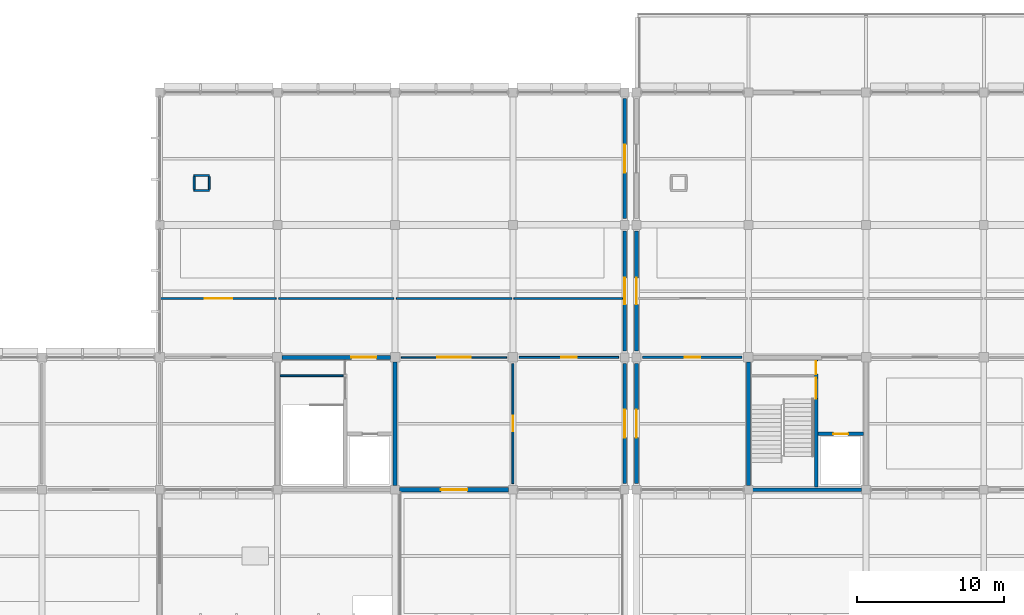
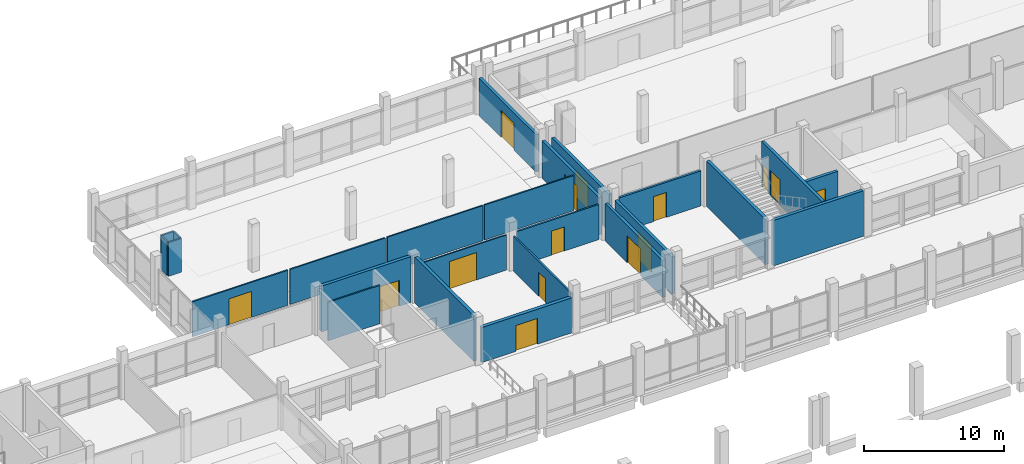
# One storey, part 59 of 70: 25 walls, 15 doors, 15 openings.
"""IFC4 building model written with IfcOpenShell, lengths in metres."""

from ifc_helpers import new_model, si_unit, direction, frame, frame_2d, origin, place, context, subcontext, project, spatial, rectangle, extrude, material, layer, layer_set, type_object, element, fill, save


model = new_model("IFC4")

# Units and contexts
model_context = context("Model", 3, precision=1e-05, world=origin(), true_north=direction((0.0, 1.0)))
body_context = subcontext(model_context, "Body", "Model", "MODEL_VIEW")
ifc_project = project(units=[si_unit("LENGTHUNIT", "METRE"), si_unit("AREAUNIT", "SQUARE_METRE"), si_unit("VOLUMEUNIT", "CUBIC_METRE"), si_unit("PLANEANGLEUNIT", "RADIAN"), si_unit("MASSUNIT", "GRAM", prefix="KILO"), si_unit("THERMODYNAMICTEMPERATUREUNIT", "KELVIN"), si_unit("POWERUNIT", "WATT")], contexts=[model_context])

# Site, building, storey
site_placement = place(None, origin())
site = spatial("IfcSite", under=ifc_project, at=site_placement, CompositionType="ELEMENT")
building_placement = place(site_placement, origin())
building = spatial("IfcBuilding", under=site, at=building_placement, Name="Kronsvod Quay Wholesale Market", CompositionType="ELEMENT")
storey_placement = place(building_placement, frame((0.0, 0.0, 9.0)))
storey = spatial("IfcBuildingStorey", under=building, at=storey_placement, Name="L02", CompositionType="ELEMENT", Elevation=9.0)

# Wall, opening, door
ifc_material_1 = material(Name="Concrete C35/45", Category="concrete")
ifc_layer_1 = layer(ifc_material_1, 0.260009765625)
ifc_layer_set_1 = layer_set([ifc_layer_1], Name="Concrete C35/45")
wall_type_1 = type_object("IfcWallType", Name="Wall_CoreShear260", PredefinedType="SHEAR", material=ifc_layer_set_1)
wall_1_placement = place(storey_placement, frame((40.320068359375, 108.0, 0.0), z_axis=(0.0, 0.0, 1.0), x_axis=(1.0, 0.0, 0.0)))
wall_1 = element("IfcWall", 1, at=wall_1_placement, inside=storey, type_object=wall_type_1, Name="CW-C07-L02-N", PredefinedType="SHEAR", context=body_context, shape_type="SweptSolid", body=[
    extrude(rectangle(XDim=7.35986328125, YDim=0.260009765625, at=frame_2d((3.679931640625, 0.0))), origin(), (0.0, 0.0, 1.0), 3.985107421875),
])
opening_1_placement = place(wall_1_placement, frame((4.699951171875, 0.0, 0.0)))
opening_1 = element("IfcOpeningElement", 2, at=opening_1_placement, cuts=wall_1, Name="Opening D-0072", PredefinedType="OPENING", context=body_context, shape_type="SweptSolid", body=[
    extrude(rectangle(XDim=1.699951171875, YDim=2.25, at=frame_2d((0.85009765625, 1.125))), frame((0.0, 0.14013671875, 0.0), z_axis=(0.0, -1.0, 0.0), x_axis=(1.0, 0.0, 0.0)), (0.0, 0.0, 1.0), 0.280029296875),
])
ifc_material_2 = material(Name="Painted galvanized fire steel", Category="steel")
door_type_1 = type_object("IfcDoorType", Name="Door_FireLobby170x225", OperationType="DOUBLE_DOOR_SINGLE_SWING", PredefinedType="DOOR", material=ifc_material_2)
door_1_placement = place(opening_1_placement, origin())
door_1 = element("IfcDoor", 3, at=door_1_placement, inside=storey, type_object=door_type_1, Name="Core Lobby Door D-0072", OperationType="DOUBLE_DOOR_SINGLE_SWING", OverallHeight=2.25, OverallWidth=1.699951171875, PredefinedType="DOOR", context=body_context, shape_type="SweptSolid", body=[
    extrude(rectangle(XDim=1.699951171875, YDim=2.25, at=frame_2d((0.85009765625, 1.125))), frame((0.0, 0.02490234375, 0.0), z_axis=(0.0, -1.0, 0.0), x_axis=(1.0, 0.0, 0.0)), (0.0, 0.0, 1.0), 0.050048828125),
])
fill(opening_1, door_1)

# Walls
wall_2_placement = place(storey_placement, frame((48.0, 99.294921875, 0.0), z_axis=(0.0, 0.0, 1.0), x_axis=(0.0, 1.0, 0.0)))
element("IfcWall", 4, at=wall_2_placement, inside=storey, type_object=wall_type_1, Name="CW-C07-L02-E", PredefinedType="SHEAR", context=body_context, shape_type="SweptSolid", body=[
    extrude(rectangle(XDim=8.385009765625, YDim=0.260009765625, at=frame_2d((4.1923828125, 0.0))), origin(), (0.0, 0.0, 1.0), 3.985107421875),
])
wall_3_placement = place(storey_placement, frame((72.294921875, 99.0, 0.0), z_axis=(0.0, 0.0, 1.0), x_axis=(1.0, 0.0, 0.0)))
element("IfcWall", 5, at=wall_3_placement, inside=storey, type_object=wall_type_1, Name="CW-C08-L02-S", PredefinedType="SHEAR", context=body_context, shape_type="SweptSolid", body=[
    extrude(rectangle(XDim=7.41015625, YDim=0.260009765625, at=frame_2d((3.705078125, 0.0))), origin(), (0.0, 0.0, 1.0), 3.955078125),
])
wall_4_placement = place(storey_placement, frame((72.0, 99.294921875, 0.0), z_axis=(0.0, 0.0, 1.0), x_axis=(0.0, 1.0, 0.0)))
element("IfcWall", 6, at=wall_4_placement, inside=storey, type_object=wall_type_1, Name="CW-C08-L02-W", PredefinedType="SHEAR", context=body_context, shape_type="SweptSolid", body=[
    extrude(rectangle(XDim=8.385009765625, YDim=0.260009765625, at=frame_2d((4.1923828125, 0.0))), origin(), (0.0, 0.0, 1.0), 3.955078125),
])

# Wall, opening, door
ifc_material_3 = material(Name="Precast concrete C40/50", Category="concrete")
ifc_layer_2 = layer(ifc_material_3, 0.280029296875)
ifc_layer_set_2 = layer_set([ifc_layer_2], Name="Precast concrete C40/50")
wall_type_2 = type_object("IfcWallType", Name="Wall_ExtPrecast280", PredefinedType="SOLIDWALL", material=ifc_layer_set_2)
wall_5_placement = place(storey_placement, frame((48.294921875, 99.0, 0.0), z_axis=(0.0, 0.0, 1.0), x_axis=(1.0, 0.0, 0.0)))
wall_5 = element("IfcWall", 7, at=wall_5_placement, inside=storey, type_object=wall_type_2, Name="EW-X-L02-0161", PredefinedType="SOLIDWALL", context=body_context, shape_type="SweptSolid", body=[
    extrude(rectangle(XDim=7.41015625, YDim=0.280029296875, at=frame_2d((3.705078125, 0.0))), origin(), (0.0, 0.0, 1.0), 3.050048828125),
])
opening_2_placement = place(wall_5_placement, frame((2.804931640625, 0.0, 0.0)))
opening_2 = element("IfcOpeningElement", 8, at=opening_2_placement, cuts=wall_5, Name="Opening ED-053", PredefinedType="OPENING", context=body_context, shape_type="SweptSolid", body=[
    extrude(rectangle(XDim=1.800048828125, YDim=2.25, at=frame_2d((0.89990234375, 1.125))), frame((0.0, 0.14990234375, 0.0), z_axis=(0.0, -1.0, 0.0), x_axis=(1.0, 0.0, 0.0)), (0.0, 0.0, 1.0), 0.300048828125),
])
ifc_material_4 = material(Name="Thermally broken aluminium and glass", Category="aluminium")
door_type_2 = type_object("IfcDoorType", Name="Door_GardenDouble180x225", OperationType="DOUBLE_DOOR_SINGLE_SWING", PredefinedType="DOOR", material=ifc_material_4)
door_2_placement = place(opening_2_placement, frame((1.800048828125, 0.0, 0.0), z_axis=(0.0, 0.0, 1.0), x_axis=(-1.0, 0.0, 0.0)))
door_2 = element("IfcDoor", 9, at=door_2_placement, inside=storey, type_object=door_type_2, Name="Terrace Access Door ED-053", OperationType="DOUBLE_DOOR_SINGLE_SWING", OverallHeight=2.25, OverallWidth=1.800048828125, PredefinedType="DOOR", context=body_context, shape_type="SweptSolid", body=[
    extrude(rectangle(XDim=1.800048828125, YDim=2.25, at=frame_2d((0.89990234375, 1.125))), frame((0.0, 0.02490234375, 0.0), z_axis=(0.0, -1.0, 0.0), x_axis=(1.0, 0.0, 0.0)), (0.0, 0.0, 1.0), 0.050048828125),
])
fill(opening_2, door_2)

ifc_material_5 = material(Name="Precast concrete C40/50", Category="concrete")
ifc_layer_3 = layer(ifc_material_5, 0.239990234375)
ifc_layer_set_3 = layer_set([ifc_layer_3], Name="Precast concrete C40/50")
wall_type_3 = type_object("IfcWallType", Name="Wall_ExtSpandrel240", PredefinedType="SOLIDWALL", material=ifc_layer_set_3)
wall_6_placement = place(storey_placement, frame((63.60009765625, 99.419921875, 0.0), z_axis=(0.0, 0.0, 1.0), x_axis=(0.0, 1.0, 0.0)))
wall_6 = element("IfcWall", 10, at=wall_6_placement, inside=storey, type_object=wall_type_3, Name="MJWG-L02-636-990", PredefinedType="SOLIDWALL", context=body_context, shape_type="SweptSolid", body=[
    extrude(rectangle(XDim=8.16015625, YDim=0.239990234375, at=frame_2d((4.080078125, 0.0))), origin(), (0.0, 0.0, 1.0), 3.239990234375),
])
opening_3_placement = place(wall_6_placement, frame((3.1298828125, 0.0, 0.0)))
opening_3 = element("IfcOpeningElement", 11, at=opening_3_placement, cuts=wall_6, Name="Opening D-0375", PredefinedType="OPENING", context=body_context, shape_type="SweptSolid", body=[
    extrude(rectangle(XDim=1.89990234375, YDim=2.35009765625, at=frame_2d((0.949951171875, 1.175048828125))), frame((0.0, 0.1298828125, 0.0), z_axis=(0.0, -1.0, 0.0), x_axis=(1.0, 0.0, 0.0)), (0.0, 0.0, 1.0), 0.260009765625),
])
ifc_material_6 = material(Name="Painted galvanized fire steel", Category="steel")
door_type_3 = type_object("IfcDoorType", Name="Door_FireComp190x235", OperationType="DOUBLE_DOOR_SINGLE_SWING", PredefinedType="DOOR", material=ifc_material_6)
door_3_placement = place(opening_3_placement, origin())
door_3 = element("IfcDoor", 12, at=door_3_placement, inside=storey, type_object=door_type_3, Name="Fire Compartment Door D-0375", OperationType="DOUBLE_DOOR_SINGLE_SWING", OverallHeight=2.35009765625, OverallWidth=1.89990234375, PredefinedType="DOOR", context=body_context, shape_type="SweptSolid", body=[
    extrude(rectangle(XDim=1.89990234375, YDim=2.35009765625, at=frame_2d((0.949951171875, 1.175048828125))), frame((0.0, 0.02490234375, 0.0), z_axis=(0.0, -1.0, 0.0), x_axis=(1.0, 0.0, 0.0)), (0.0, 0.0, 1.0), 0.050048828125),
])
fill(opening_3, door_3)

wall_7_placement = place(storey_placement, frame((63.60009765625, 108.419921875, 0.0), z_axis=(0.0, 0.0, 1.0), x_axis=(0.0, 1.0, 0.0)))
wall_7 = element("IfcWall", 13, at=wall_7_placement, inside=storey, type_object=wall_type_3, Name="MJWG-L02-636-1080", PredefinedType="SOLIDWALL", context=body_context, shape_type="SweptSolid", body=[
    extrude(rectangle(XDim=8.16015625, YDim=0.239990234375, at=frame_2d((4.080078125, 0.0))), origin(), (0.0, 0.0, 1.0), 3.239990234375),
])
opening_4_placement = place(wall_7_placement, frame((3.179931640625, 0.0, 0.0)))
opening_4 = element("IfcOpeningElement", 14, at=opening_4_placement, cuts=wall_7, Name="Opening D-0376", PredefinedType="OPENING", context=body_context, shape_type="SweptSolid", body=[
    extrude(rectangle(XDim=1.800048828125, YDim=2.300048828125, at=frame_2d((0.89990234375, 1.14990234375))), frame((0.0, 0.1298828125, 0.0), z_axis=(0.0, -1.0, 0.0), x_axis=(1.0, 0.0, 0.0)), (0.0, 0.0, 1.0), 0.260009765625),
])
ifc_material_7 = material(Name="Painted galvanized fire steel", Category="steel")
door_type_4 = type_object("IfcDoorType", Name="Door_FireComp180x230", OperationType="DOUBLE_DOOR_SINGLE_SWING", PredefinedType="DOOR", material=ifc_material_7)
door_4_placement = place(opening_4_placement, origin())
door_4 = element("IfcDoor", 15, at=door_4_placement, inside=storey, type_object=door_type_4, Name="Fire Compartment Door D-0376", OperationType="DOUBLE_DOOR_SINGLE_SWING", OverallHeight=2.300048828125, OverallWidth=1.800048828125, PredefinedType="DOOR", context=body_context, shape_type="SweptSolid", body=[
    extrude(rectangle(XDim=1.800048828125, YDim=2.300048828125, at=frame_2d((0.89990234375, 1.14990234375))), frame((0.0, 0.02490234375, 0.0), z_axis=(0.0, -1.0, 0.0), x_axis=(1.0, 0.0, 0.0)), (0.0, 0.0, 1.0), 0.050048828125),
])
fill(opening_4, door_4)

wall_8_placement = place(storey_placement, frame((63.60009765625, 117.419921875, 0.0), z_axis=(0.0, 0.0, 1.0), x_axis=(0.0, 1.0, 0.0)))
wall_8 = element("IfcWall", 16, at=wall_8_placement, inside=storey, type_object=wall_type_3, Name="MJWG-L02-636-1170", PredefinedType="SOLIDWALL", context=body_context, shape_type="SweptSolid", body=[
    extrude(rectangle(XDim=8.16015625, YDim=0.239990234375, at=frame_2d((4.080078125, 0.0))), origin(), (0.0, 0.0, 1.0), 3.239990234375),
])
opening_5_placement = place(wall_8_placement, frame((3.1298828125, 0.0, 0.0)))
opening_5 = element("IfcOpeningElement", 17, at=opening_5_placement, cuts=wall_8, Name="Opening D-0377", PredefinedType="OPENING", context=body_context, shape_type="SweptSolid", body=[
    extrude(rectangle(XDim=1.89990234375, YDim=2.35009765625, at=frame_2d((0.949951171875, 1.175048828125))), frame((0.0, 0.1298828125, 0.0), z_axis=(0.0, -1.0, 0.0), x_axis=(1.0, 0.0, 0.0)), (0.0, 0.0, 1.0), 0.260009765625),
])
door_5_placement = place(opening_5_placement, origin())
door_5 = element("IfcDoor", 18, at=door_5_placement, inside=storey, type_object=door_type_3, Name="Fire Compartment Door D-0377", OperationType="DOUBLE_DOOR_SINGLE_SWING", OverallHeight=2.35009765625, OverallWidth=1.89990234375, PredefinedType="DOOR", context=body_context, shape_type="SweptSolid", body=[
    extrude(rectangle(XDim=1.89990234375, YDim=2.35009765625, at=frame_2d((0.949951171875, 1.175048828125))), frame((0.0, 0.02490234375, 0.0), z_axis=(0.0, -1.0, 0.0), x_axis=(1.0, 0.0, 0.0)), (0.0, 0.0, 1.0), 0.050048828125),
])
fill(opening_5, door_5)

wall_9_placement = place(storey_placement, frame((64.39990234375, 99.419921875, 0.0), z_axis=(0.0, 0.0, 1.0), x_axis=(0.0, 1.0, 0.0)))
wall_9 = element("IfcWall", 19, at=wall_9_placement, inside=storey, type_object=wall_type_3, Name="MJWG-L02-644-990", PredefinedType="SOLIDWALL", context=body_context, shape_type="SweptSolid", body=[
    extrude(rectangle(XDim=8.16015625, YDim=0.239990234375, at=frame_2d((4.080078125, 0.0))), origin(), (0.0, 0.0, 1.0), 3.239990234375),
])
opening_6_placement = place(wall_9_placement, frame((3.1298828125, 0.0, 0.0)))
opening_6 = element("IfcOpeningElement", 20, at=opening_6_placement, cuts=wall_9, Name="Opening D-0379", PredefinedType="OPENING", context=body_context, shape_type="SweptSolid", body=[
    extrude(rectangle(XDim=1.89990234375, YDim=2.35009765625, at=frame_2d((0.949951171875, 1.175048828125))), frame((0.0, 0.1298828125, 0.0), z_axis=(0.0, -1.0, 0.0), x_axis=(1.0, 0.0, 0.0)), (0.0, 0.0, 1.0), 0.260009765625),
])
door_6_placement = place(opening_6_placement, origin())
door_6 = element("IfcDoor", 21, at=door_6_placement, inside=storey, type_object=door_type_3, Name="Fire Compartment Door D-0379", OperationType="DOUBLE_DOOR_SINGLE_SWING", OverallHeight=2.35009765625, OverallWidth=1.89990234375, PredefinedType="DOOR", context=body_context, shape_type="SweptSolid", body=[
    extrude(rectangle(XDim=1.89990234375, YDim=2.35009765625, at=frame_2d((0.949951171875, 1.175048828125))), frame((0.0, 0.02490234375, 0.0), z_axis=(0.0, -1.0, 0.0), x_axis=(1.0, 0.0, 0.0)), (0.0, 0.0, 1.0), 0.050048828125),
])
fill(opening_6, door_6)

wall_10_placement = place(storey_placement, frame((64.39990234375, 108.419921875, 0.0), z_axis=(0.0, 0.0, 1.0), x_axis=(0.0, 1.0, 0.0)))
wall_10 = element("IfcWall", 22, at=wall_10_placement, inside=storey, type_object=wall_type_3, Name="MJWG-L02-644-1080", PredefinedType="SOLIDWALL", context=body_context, shape_type="SweptSolid", body=[
    extrude(rectangle(XDim=8.16015625, YDim=0.239990234375, at=frame_2d((4.080078125, 0.0))), origin(), (0.0, 0.0, 1.0), 3.239990234375),
])
opening_7_placement = place(wall_10_placement, frame((3.179931640625, 0.0, 0.0)))
opening_7 = element("IfcOpeningElement", 23, at=opening_7_placement, cuts=wall_10, Name="Opening D-0380", PredefinedType="OPENING", context=body_context, shape_type="SweptSolid", body=[
    extrude(rectangle(XDim=1.800048828125, YDim=2.300048828125, at=frame_2d((0.89990234375, 1.14990234375))), frame((0.0, 0.1298828125, 0.0), z_axis=(0.0, -1.0, 0.0), x_axis=(1.0, 0.0, 0.0)), (0.0, 0.0, 1.0), 0.260009765625),
])
door_7_placement = place(opening_7_placement, origin())
door_7 = element("IfcDoor", 24, at=door_7_placement, inside=storey, type_object=door_type_4, Name="Fire Compartment Door D-0380", OperationType="DOUBLE_DOOR_SINGLE_SWING", OverallHeight=2.300048828125, OverallWidth=1.800048828125, PredefinedType="DOOR", context=body_context, shape_type="SweptSolid", body=[
    extrude(rectangle(XDim=1.800048828125, YDim=2.300048828125, at=frame_2d((0.89990234375, 1.14990234375))), frame((0.0, 0.02490234375, 0.0), z_axis=(0.0, -1.0, 0.0), x_axis=(1.0, 0.0, 0.0)), (0.0, 0.0, 1.0), 0.050048828125),
])
fill(opening_7, door_7)

ifc_material_8 = material(Name="Double-layer fire gypsum partition", Category="gypsum")
ifc_layer_4 = layer(ifc_material_8, 0.16796875)
ifc_layer_set_4 = layer_set([ifc_layer_4], Name="Double-layer fire gypsum partition")
wall_type_4 = type_object("IfcWallType", Name="Wall_PartCorridor168", PredefinedType="PARTITIONING", material=ifc_layer_set_4)
wall_11_placement = place(storey_placement, frame((64.820068359375, 108.0, 0.0), z_axis=(0.0, 0.0, 1.0), x_axis=(1.0, 0.0, 0.0)))
wall_11 = element("IfcWall", 25, at=wall_11_placement, inside=storey, type_object=wall_type_4, Name="PW-L02-0033", PredefinedType="PARTITIONING", context=body_context, shape_type="SweptSolid", body=[
    extrude(rectangle(XDim=6.760009765625, YDim=0.16796875, at=frame_2d((3.3798828125, 0.0))), origin(), (0.0, 0.0, 1.0), 3.050048828125),
])
opening_8_placement = place(wall_11_placement, frame((2.85009765625, 0.0, 0.0)))
opening_8 = element("IfcOpeningElement", 26, at=opening_8_placement, cuts=wall_11, Name="Opening D-0287", PredefinedType="OPENING", context=body_context, shape_type="SweptSolid", body=[
    extrude(rectangle(XDim=1.06005859375, YDim=2.169921875, at=frame_2d((0.530029296875, 1.0849609375))), frame((0.0, 0.093994140625, 0.0), z_axis=(0.0, -1.0, 0.0), x_axis=(1.0, 0.0, 0.0)), (0.0, 0.0, 1.0), 0.18798828125),
])
ifc_material_9 = material(Name="Solid-core timber office door", Category="wood")
door_type_5 = type_object("IfcDoorType", Name="Door_Office106x217", OperationType="NOTDEFINED", PredefinedType="DOOR", material=ifc_material_9)
door_8_placement = place(opening_8_placement, origin())
door_8 = element("IfcDoor", 27, at=door_8_placement, inside=storey, type_object=door_type_5, Name="Interior Door D-0287", OperationType="SINGLE_SWING_LEFT", OverallHeight=2.169921875, OverallWidth=1.06005859375, PredefinedType="DOOR", context=body_context, shape_type="SweptSolid", body=[
    extrude(rectangle(XDim=1.06005859375, YDim=2.169921875, at=frame_2d((0.530029296875, 1.0849609375))), frame((0.0, 0.02490234375, 0.0), z_axis=(0.0, -1.0, 0.0), x_axis=(1.0, 0.0, 0.0)), (0.0, 0.0, 1.0), 0.050048828125),
])
fill(opening_8, door_8)

ifc_material_10 = material(Name="Double-glazed gallery screen partition", Category="glass")
ifc_layer_5 = layer(ifc_material_10, 0.10791015625)
ifc_layer_set_5 = layer_set([ifc_layer_5], Name="Double-glazed gallery screen partition")
wall_type_5 = type_object("IfcWallType", Name="Wall_PartGlazed108", PredefinedType="PARTITIONING", material=ifc_layer_set_5)
wall_12_placement = place(storey_placement, frame((48.419921875, 108.0, 0.0), z_axis=(0.0, 0.0, 1.0), x_axis=(1.0, 0.0, 0.0)))
wall_12 = element("IfcWall", 28, at=wall_12_placement, inside=storey, type_object=wall_type_5, Name="PW-L02-0031", PredefinedType="PARTITIONING", context=body_context, shape_type="SweptSolid", body=[
    extrude(rectangle(XDim=7.16015625, YDim=0.10791015625, at=frame_2d((3.580078125, 0.0))), origin(), (0.0, 0.0, 1.0), 3.050048828125),
])
opening_9_placement = place(wall_12_placement, frame((2.455078125, 0.0, 0.0)))
opening_9 = element("IfcOpeningElement", 29, at=opening_9_placement, cuts=wall_12, Name="Opening D-0285", PredefinedType="OPENING", context=body_context, shape_type="SweptSolid", body=[
    extrude(rectangle(XDim=2.25, YDim=2.3798828125, at=frame_2d((1.125, 1.18994140625))), frame((0.0, 0.06396484375, 0.0), z_axis=(0.0, -1.0, 0.0), x_axis=(1.0, 0.0, 0.0)), (0.0, 0.0, 1.0), 0.1279296875),
])
ifc_material_11 = material(Name="Glazed aluminium hall portal", Category="aluminium")
door_type_6 = type_object("IfcDoorType", Name="Door_HallPortal225x238", OperationType="DOUBLE_DOOR_SINGLE_SWING", PredefinedType="DOOR", material=ifc_material_11)
door_9_placement = place(opening_9_placement, origin())
door_9 = element("IfcDoor", 30, at=door_9_placement, inside=storey, type_object=door_type_6, Name="Interior Door D-0285", OperationType="DOUBLE_DOOR_SINGLE_SWING", OverallHeight=2.3798828125, OverallWidth=2.25, PredefinedType="DOOR", context=body_context, shape_type="SweptSolid", body=[
    extrude(rectangle(XDim=2.25, YDim=2.3798828125, at=frame_2d((1.125, 1.18994140625))), frame((0.0, 0.02490234375, 0.0), z_axis=(0.0, -1.0, 0.0), x_axis=(1.0, 0.0, 0.0)), (0.0, 0.0, 1.0), 0.050048828125),
])
fill(opening_9, door_9)

ifc_material_12 = material(Name="Framed acoustic glass hall partition", Category="glass")
ifc_layer_6 = layer(ifc_material_12, 0.114990234375)
ifc_layer_set_6 = layer_set([ifc_layer_6], Name="Framed acoustic glass hall partition")
wall_type_6 = type_object("IfcWallType", Name="Wall_PartGlazed115", PredefinedType="PARTITIONING", material=ifc_layer_set_6)
wall_13_placement = place(storey_placement, frame((32.06005859375, 112.0, 0.0), z_axis=(0.0, 0.0, 1.0), x_axis=(1.0, 0.0, 0.0)))
wall_13 = element("IfcWall", 31, at=wall_13_placement, inside=storey, type_object=wall_type_6, Name="PW-L02-0043", PredefinedType="PARTITIONING", context=body_context, shape_type="SweptSolid", body=[
    extrude(rectangle(XDim=7.85986328125, YDim=0.114990234375, at=frame_2d((3.929931640625, 0.0))), origin(), (0.0, 0.0, 1.0), 3.050048828125),
])
opening_10_placement = place(wall_13_placement, frame((3.0048828125, 0.0, 0.0)))
opening_10 = element("IfcOpeningElement", 32, at=opening_10_placement, cuts=wall_13, Name="Opening D-0294", PredefinedType="OPENING", context=body_context, shape_type="SweptSolid", body=[
    extrude(rectangle(XDim=1.85009765625, YDim=2.25, at=frame_2d((0.925048828125, 1.125))), frame((0.0, 0.0673828125, 0.0), z_axis=(0.0, -1.0, 0.0), x_axis=(1.0, 0.0, 0.0)), (0.0, 0.0, 1.0), 0.135009765625),
])
ifc_material_13 = material(Name="Glazed aluminium dining door", Category="aluminium")
door_type_7 = type_object("IfcDoorType", Name="Door_Canteen185x225", OperationType="DOUBLE_DOOR_SINGLE_SWING", PredefinedType="DOOR", material=ifc_material_13)
door_10_placement = place(opening_10_placement, origin())
door_10 = element("IfcDoor", 33, at=door_10_placement, inside=storey, type_object=door_type_7, Name="Interior Door D-0294", OperationType="DOUBLE_DOOR_SINGLE_SWING", OverallHeight=2.25, OverallWidth=1.85009765625, PredefinedType="DOOR", context=body_context, shape_type="SweptSolid", body=[
    extrude(rectangle(XDim=1.85009765625, YDim=2.25, at=frame_2d((0.925048828125, 1.125))), frame((0.0, 0.02490234375, 0.0), z_axis=(0.0, -1.0, 0.0), x_axis=(1.0, 0.0, 0.0)), (0.0, 0.0, 1.0), 0.050048828125),
])
fill(opening_10, door_10)

# Walls
wall_14_placement = place(storey_placement, frame((40.080078125, 112.0, 0.0), z_axis=(0.0, 0.0, 1.0), x_axis=(1.0, 0.0, 0.0)))
element("IfcWall", 34, at=wall_14_placement, inside=storey, type_object=wall_type_6, Name="PW-L02-0044", PredefinedType="PARTITIONING", context=body_context, shape_type="SweptSolid", body=[
    extrude(rectangle(XDim=7.83984375, YDim=0.114990234375, at=frame_2d((3.919921875, 0.0))), origin(), (0.0, 0.0, 1.0), 3.050048828125),
])
wall_15_placement = place(storey_placement, frame((48.080078125, 112.0, 0.0), z_axis=(0.0, 0.0, 1.0), x_axis=(1.0, 0.0, 0.0)))
element("IfcWall", 35, at=wall_15_placement, inside=storey, type_object=wall_type_6, Name="PW-L02-0045", PredefinedType="PARTITIONING", context=body_context, shape_type="SweptSolid", body=[
    extrude(rectangle(XDim=7.85986328125, YDim=0.114990234375, at=frame_2d((3.929931640625, 0.0))), origin(), (0.0, 0.0, 1.0), 3.050048828125),
])
wall_16_placement = place(storey_placement, frame((56.06005859375, 112.0, 0.0), z_axis=(0.0, 0.0, 1.0), x_axis=(1.0, 0.0, 0.0)))
element("IfcWall", 36, at=wall_16_placement, inside=storey, type_object=wall_type_6, Name="PW-L02-0046", PredefinedType="PARTITIONING", context=body_context, shape_type="SweptSolid", body=[
    extrude(rectangle(XDim=7.39990234375, YDim=0.114990234375, at=frame_2d((3.699951171875, 0.0))), origin(), (0.0, 0.0, 1.0), 3.050048828125),
])
ifc_material_14 = material(Name="Fire-rated shaft riser block wall", Category="masonry")
ifc_layer_7 = layer(ifc_material_14, 0.1201171875)
ifc_layer_set_7 = layer_set([ifc_layer_7], Name="Fire-rated shaft riser block wall")
wall_type_7 = type_object("IfcWallType", Name="Wall_PartRiser120", PredefinedType="PARTITIONING", material=ifc_layer_set_7)
for number, where, z_axis, x_axis, name in (
    (37, (34.320068359375, 119.340087890625, 0.0), (0.0, 0.0, 1.0), (1.0, 0.0, 0.0), "RSRW-SLB-L02-115-S"),
    (38, (34.320068359375, 120.360107421875, 0.0), (0.0, 0.0, 1.0), (1.0, 0.0, 0.0), "RSRW-SLB-L02-115-N"),
):
    element("IfcWall", number, at=place(storey_placement, frame(where, z_axis=z_axis, x_axis=x_axis)), inside=storey, type_object=wall_type_7, Name=name, PredefinedType="PARTITIONING", context=body_context, shape_type="SweptSolid", body=[
        extrude(rectangle(XDim=1.059814453125, YDim=0.1201171875, at=frame_2d((0.52978515625, 0.0))), origin(), (0.0, 0.0, 1.0), 2.949951171875),
    ])
for number, where, z_axis, x_axis, name in (
    (39, (34.340087890625, 119.419921875, 0.0), (0.0, 0.0, 1.0), (0.0, 1.0, 0.0), "RSRW-SLB-L02-115-W"),
    (40, (35.360107421875, 119.419921875, 0.0), (0.0, 0.0, 1.0), (0.0, 1.0, 0.0), "RSRW-SLB-L02-115-E"),
):
    element("IfcWall", number, at=place(storey_placement, frame(where, z_axis=z_axis, x_axis=x_axis)), inside=storey, type_object=wall_type_7, Name=name, PredefinedType="PARTITIONING", context=body_context, shape_type="SweptSolid", body=[
        extrude(rectangle(XDim=0.860107421875, YDim=0.1201171875, at=frame_2d((0.43017578125, 0.0))), origin(), (0.0, 0.0, 1.0), 2.949951171875),
    ])
ifc_material_15 = material(Name="Fire-rated shaft riser block wall", Category="masonry")
ifc_layer_8 = layer(ifc_material_15, 0.1298828125)
ifc_layer_set_8 = layer_set([ifc_layer_8], Name="Fire-rated shaft riser block wall")
wall_type_8 = type_object("IfcWallType", Name="Wall_PartRiser130", PredefinedType="PARTITIONING", material=ifc_layer_set_8)
wall_17_placement = place(storey_placement, frame((40.179931640625, 106.75, 0.0), z_axis=(0.0, 0.0, 1.0), x_axis=(1.0, 0.0, 0.0)))
element("IfcWall", 41, at=wall_17_placement, inside=storey, type_object=wall_type_8, Name="CW-C07-L02-RSR", PredefinedType="PARTITIONING", context=body_context, shape_type="SweptSolid", body=[
    extrude(rectangle(XDim=4.280029296875, YDim=0.1298828125, at=frame_2d((2.14013671875, 0.0))), origin(), (0.0, 0.0, 1.0), 3.3349609375),
])

# Wall, opening, door
ifc_material_16 = material(Name="Moisture-resistant sanitary block partition", Category="masonry")
ifc_layer_9 = layer(ifc_material_16, 0.135009765625)
ifc_layer_set_9 = layer_set([ifc_layer_9], Name="Moisture-resistant sanitary block partition")
wall_type_9 = type_object("IfcWallType", Name="Wall_PartWet135", PredefinedType="PLUMBINGWALL", material=ifc_layer_set_9)
wall_18_placement = place(storey_placement, frame((56.0, 99.419921875, 0.0), z_axis=(0.0, 0.0, 1.0), x_axis=(0.0, 1.0, 0.0)))
wall_18 = element("IfcWall", 42, at=wall_18_placement, inside=storey, type_object=wall_type_9, Name="PW-L02-0030", PredefinedType="PLUMBINGWALL", context=body_context, shape_type="SweptSolid", body=[
    extrude(rectangle(XDim=8.16015625, YDim=0.135009765625, at=frame_2d((4.080078125, 0.0))), origin(), (0.0, 0.0, 1.0), 3.050048828125),
])
opening_11_placement = place(wall_18_placement, frame((3.554931640625, 0.0, 0.0)))
opening_11 = element("IfcOpeningElement", 43, at=opening_11_placement, cuts=wall_18, Name="Opening D-0284", PredefinedType="OPENING", context=body_context, shape_type="SweptSolid", body=[
    extrude(rectangle(XDim=1.050048828125, YDim=2.10009765625, at=frame_2d((0.52490234375, 1.050048828125))), frame((0.0, 0.07763671875, 0.0), z_axis=(0.0, -1.0, 0.0), x_axis=(1.0, 0.0, 0.0)), (0.0, 0.0, 1.0), 0.155029296875),
])
ifc_material_17 = material(Name="Accessible outward-swing laminate door", Category="wood")
door_type_8 = type_object("IfcDoorType", Name="Door_AccWC105x210", OperationType="NOTDEFINED", PredefinedType="DOOR", material=ifc_material_17)
door_11_placement = place(opening_11_placement, origin())
door_11 = element("IfcDoor", 44, at=door_11_placement, inside=storey, type_object=door_type_8, Name="Interior Door D-0284", OperationType="SINGLE_SWING_LEFT", OverallHeight=2.10009765625, OverallWidth=1.050048828125, PredefinedType="DOOR", context=body_context, shape_type="SweptSolid", body=[
    extrude(rectangle(XDim=1.050048828125, YDim=2.10009765625, at=frame_2d((0.52490234375, 1.050048828125))), frame((0.0, 0.02490234375, 0.0), z_axis=(0.0, -1.0, 0.0), x_axis=(1.0, 0.0, 0.0)), (0.0, 0.0, 1.0), 0.050048828125),
])
fill(opening_11, door_11)

wall_19_placement = place(storey_placement, frame((56.419921875, 108.0, 0.0), z_axis=(0.0, 0.0, 1.0), x_axis=(1.0, 0.0, 0.0)))
wall_19 = element("IfcWall", 45, at=wall_19_placement, inside=storey, type_object=wall_type_9, Name="PW-L02-0032", PredefinedType="PLUMBINGWALL", context=body_context, shape_type="SweptSolid", body=[
    extrude(rectangle(XDim=6.760009765625, YDim=0.135009765625, at=frame_2d((3.3798828125, 0.0))), origin(), (0.0, 0.0, 1.0), 3.050048828125),
])
opening_12_placement = place(wall_19_placement, frame((2.85498046875, 0.0, 0.0)))
opening_12 = element("IfcOpeningElement", 46, at=opening_12_placement, cuts=wall_19, Name="Opening D-0286", PredefinedType="OPENING", context=body_context, shape_type="SweptSolid", body=[
    extrude(rectangle(XDim=1.050048828125, YDim=2.10009765625, at=frame_2d((0.52490234375, 1.050048828125))), frame((0.0, 0.07763671875, 0.0), z_axis=(0.0, -1.0, 0.0), x_axis=(1.0, 0.0, 0.0)), (0.0, 0.0, 1.0), 0.155029296875),
])
door_12_placement = place(opening_12_placement, origin())
door_12 = element("IfcDoor", 47, at=door_12_placement, inside=storey, type_object=door_type_8, Name="Interior Door D-0286", OperationType="SINGLE_SWING_RIGHT", OverallHeight=2.10009765625, OverallWidth=1.050048828125, PredefinedType="DOOR", context=body_context, shape_type="SweptSolid", body=[
    extrude(rectangle(XDim=1.050048828125, YDim=2.10009765625, at=frame_2d((0.52490234375, 1.050048828125))), frame((0.0, 0.02490234375, 0.0), z_axis=(0.0, -1.0, 0.0), x_axis=(1.0, 0.0, 0.0)), (0.0, 0.0, 1.0), 0.050048828125),
])
fill(opening_12, door_12)

# Wall, openings, doors
ifc_material_18 = material(Name="Concrete C35/45", Category="concrete")
ifc_layer_10 = layer(ifc_material_18, 0.239990234375)
ifc_layer_set_10 = layer_set([ifc_layer_10], Name="Concrete C35/45")
wall_type_10 = type_object("IfcWallType", Name="Wall_ShaftWall240", PredefinedType="SHEAR", material=ifc_layer_set_10)
wall_20_placement = place(storey_placement, frame((76.60009765625, 99.179931640625, 0.0), z_axis=(0.0, 0.0, 1.0), x_axis=(0.0, 1.0, 0.0)))
wall_20 = element("IfcWall", 48, at=wall_20_placement, inside=storey, type_object=wall_type_10, Name="CW-C08-L02-DIV", PredefinedType="SHEAR", context=body_context, shape_type="SweptSolid", body=[
    extrude(rectangle(XDim=8.64013671875, YDim=0.239990234375, at=frame_2d((4.320068359375, 0.0))), origin(), (0.0, 0.0, 1.0), 3.955078125),
])
opening_13_placement = place(wall_20_placement, frame((6.02001953125, 0.0, 0.0)))
opening_13 = element("IfcOpeningElement", 49, at=opening_13_placement, cuts=wall_20, Name="Opening D-0082", PredefinedType="OPENING", context=body_context, shape_type="SweptSolid", body=[
    extrude(rectangle(XDim=1.39990234375, YDim=2.199951171875, at=frame_2d((0.699951171875, 1.10009765625))), frame((0.0, 0.1298828125, 0.0), z_axis=(0.0, -1.0, 0.0), x_axis=(1.0, 0.0, 0.0)), (0.0, 0.0, 1.0), 0.260009765625),
])
opening_14_placement = place(wall_20_placement, frame((7.679931640625, 0.0, 0.0)))
opening_14 = element("IfcOpeningElement", 50, at=opening_14_placement, cuts=wall_20, Name="Opening D-0083", PredefinedType="OPENING", context=body_context, shape_type="SweptSolid", body=[
    extrude(rectangle(XDim=0.8798828125, YDim=2.02001953125, at=frame_2d((0.43994140625, 1.010009765625))), frame((0.0, 0.1298828125, 0.0), z_axis=(0.0, -1.0, 0.0), x_axis=(1.0, 0.0, 0.0)), (0.0, 0.0, 1.0), 0.260009765625),
])
ifc_material_19 = material(Name="Painted galvanized fire steel", Category="steel")
door_type_9 = type_object("IfcDoorType", Name="Door_FireStair140x220", OperationType="NOTDEFINED", PredefinedType="DOOR", material=ifc_material_19)
door_13_placement = place(opening_13_placement, origin())
door_13 = element("IfcDoor", 51, at=door_13_placement, inside=storey, type_object=door_type_9, Name="Stair Fire Door D-0082", OperationType="SINGLE_SWING_LEFT", OverallHeight=2.199951171875, OverallWidth=1.39990234375, PredefinedType="DOOR", context=body_context, shape_type="SweptSolid", body=[
    extrude(rectangle(XDim=1.39990234375, YDim=2.199951171875, at=frame_2d((0.699951171875, 1.10009765625))), frame((0.0, 0.02490234375, 0.0), z_axis=(0.0, -1.0, 0.0), x_axis=(1.0, 0.0, 0.0)), (0.0, 0.0, 1.0), 0.050048828125),
])
fill(opening_13, door_13)
ifc_material_20 = material(Name="Fire-rated steel riser access door", Category="steel")
door_type_10 = type_object("IfcDoorType", Name="Door_Riser88x202", OperationType="NOTDEFINED", PredefinedType="DOOR", material=ifc_material_20)
door_14_placement = place(opening_14_placement, origin())
door_14 = element("IfcDoor", 52, at=door_14_placement, inside=storey, type_object=door_type_10, Name="Service Riser Door D-0083", OperationType="SINGLE_SWING_RIGHT", OverallHeight=2.02001953125, OverallWidth=0.8798828125, PredefinedType="DOOR", context=body_context, shape_type="SweptSolid", body=[
    extrude(rectangle(XDim=0.8798828125, YDim=2.02001953125, at=frame_2d((0.43994140625, 1.010009765625))), frame((0.0, 0.02490234375, 0.0), z_axis=(0.0, -1.0, 0.0), x_axis=(1.0, 0.0, 0.0)), (0.0, 0.0, 1.0), 0.050048828125),
])
fill(opening_14, door_14)

# Wall, opening, door
wall_21_placement = place(storey_placement, frame((76.75, 102.800048828125, 0.0), z_axis=(0.0, 0.0, 1.0), x_axis=(1.0, 0.0, 0.0)))
wall_21 = element("IfcWall", 53, at=wall_21_placement, inside=storey, type_object=wall_type_10, Name="CW-C08-L02-LSH", PredefinedType="SHEAR", context=body_context, shape_type="SweptSolid", body=[
    extrude(rectangle(XDim=3.070068359375, YDim=0.239990234375, at=frame_2d((1.53515625, 0.0))), origin(), (0.0, 0.0, 1.0), 3.304931640625),
])
opening_15_placement = place(wall_21_placement, frame((1.034912109375, 0.0, 0.0)))
opening_15 = element("IfcOpeningElement", 54, at=opening_15_placement, cuts=wall_21, Name="Opening D-0085", PredefinedType="OPENING", context=body_context, shape_type="SweptSolid", body=[
    extrude(rectangle(XDim=1.0, YDim=2.14990234375, at=frame_2d((0.5, 1.074951171875))), frame((0.0, 0.1298828125, 0.0), z_axis=(0.0, -1.0, 0.0), x_axis=(1.0, 0.0, 0.0)), (0.0, 0.0, 1.0), 0.260009765625),
])
ifc_material_21 = material(Name="Brushed stainless steel", Category="steel")
door_type_11 = type_object("IfcDoorType", Name="Door_LiftLandingPax", OperationType="SLIDING_TO_LEFT", PredefinedType="DOOR", material=ifc_material_21)
door_15_placement = place(opening_15_placement, origin())
door_15 = element("IfcDoor", 55, at=door_15_placement, inside=storey, type_object=door_type_11, Name="Lift Landing Door LFT-P03 L02", OperationType="SLIDING_TO_LEFT", OverallHeight=2.14990234375, OverallWidth=1.0, PredefinedType="DOOR", context=body_context, shape_type="SweptSolid", body=[
    extrude(rectangle(XDim=1.0, YDim=2.14990234375, at=frame_2d((0.5, 1.074951171875))), frame((0.0, 0.02490234375, 0.0), z_axis=(0.0, -1.0, 0.0), x_axis=(1.0, 0.0, 0.0)), (0.0, 0.0, 1.0), 0.050048828125),
])
fill(opening_15, door_15)

save(model, "model.ifc")
